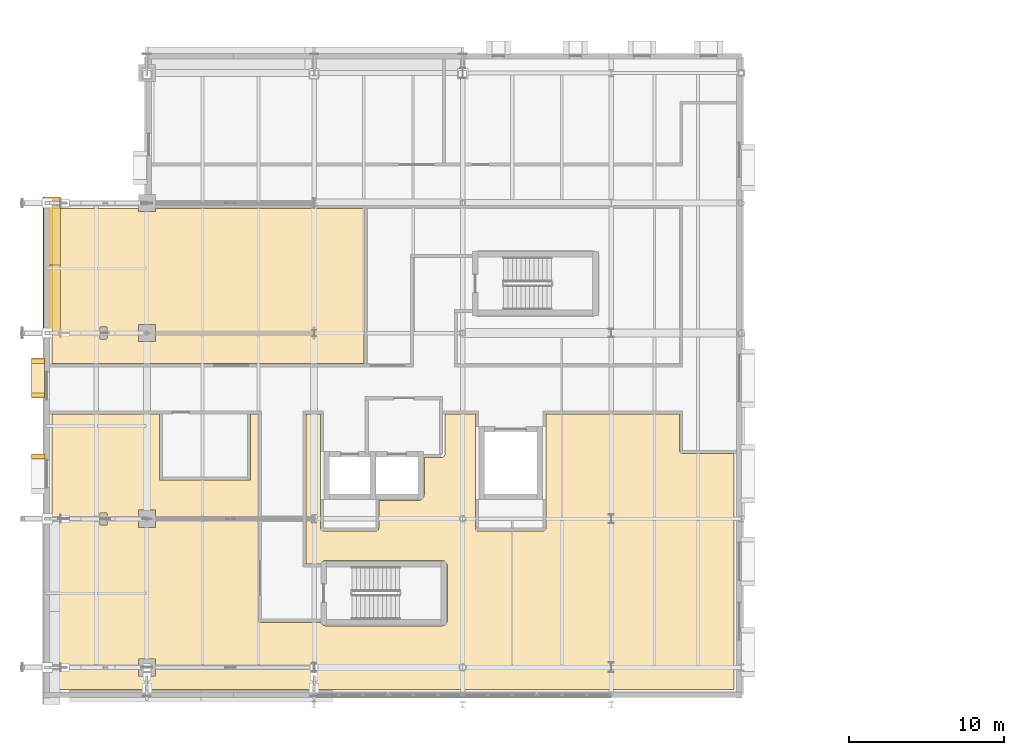
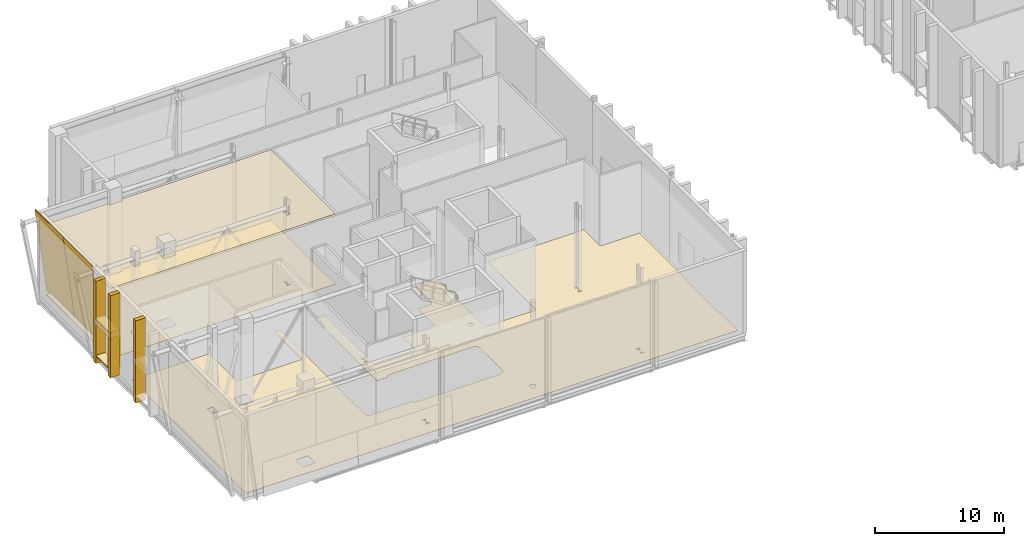
# One storey, part 66 of 79: 10 coverings.
"""IFC4 building model written with IfcOpenShell, lengths in metres."""

from ifc_helpers import new_model, si_unit, direction, frame, origin, origin_2d, place, context, subcontext, project, spatial, polyline, rectangle, outline, extrude, material, layer, layer_set, type_object, element, save


model = new_model("IFC4")

# Units and contexts
model_context = context("Model", 3, precision=1e-05, world=origin(), true_north=direction((0.0, 1.0)))
body_context = subcontext(model_context, "Body", "Model", "MODEL_VIEW")
ifc_project = project(units=[si_unit("LENGTHUNIT", "METRE"), si_unit("AREAUNIT", "SQUARE_METRE"), si_unit("VOLUMEUNIT", "CUBIC_METRE"), si_unit("PLANEANGLEUNIT", "RADIAN"), si_unit("MASSUNIT", "GRAM", prefix="KILO")], contexts=[model_context])

# Site, building, storey
site_placement = place(None, origin())
site = spatial("IfcSite", under=ifc_project, at=site_placement, CompositionType="ELEMENT")
building_placement = place(site_placement, origin())
building = spatial("IfcBuilding", under=site, at=building_placement, Name="Zereglee Splitstone Museum", CompositionType="ELEMENT")
storey_placement = place(building_placement, frame((0.0, 0.0, 9.0)))
storey = spatial("IfcBuildingStorey", under=building, at=storey_placement, Name="L02", CompositionType="ELEMENT", Elevation=9.0)

# Coverings
ifc_material_1 = material(Name="Siberian larch acoustic timber ceiling", Category="wood")
ifc_layer_1 = layer(ifc_material_1, 0.06005859375)
ifc_layer_set_1 = layer_set([ifc_layer_1], Name="Siberian larch acoustic timber ceiling")
covering_type_1 = type_object("IfcCoveringType", Name="CLG-01", PredefinedType="CEILING", material=ifc_layer_set_1)
covering_1_placement = place(storey_placement, frame((0.0, 0.0, 6.639892578125)))
element("IfcCovering", 1, at=covering_1_placement, inside=storey, type_object=covering_type_1, Name="Acoustic Ceiling L02-034", PredefinedType="CEILING", context=body_context, shape_type="SweptSolid", body=[
    extrude(outline(polyline([(3.4599609375, 29.659912109375), (9.0419921875, 29.659912109375), (9.0419921875, 29.44189453125), (10.157958984375, 29.44189453125), (10.157958984375, 29.659912109375), (23.639892578125, 29.659912109375), (23.639892578125, 19.6298828125), (3.4599609375, 19.6298828125), (3.4599609375, 29.659912109375)]), holes=[polyline([(6.56689453125, 21.98291015625), (6.56689453125, 21.217041015625), (7.032958984375, 21.217041015625), (7.032958984375, 21.98291015625), (6.56689453125, 21.98291015625)]), polyline([(9.0419921875, 22.157958984375), (9.0419921875, 21.0419921875), (10.157958984375, 21.0419921875), (10.157958984375, 22.157958984375), (9.0419921875, 22.157958984375)]), polyline([(20.55810546875, 21.8330078125), (20.241943359375, 21.8330078125), (20.241943359375, 21.791015625), (20.385009765625, 21.791015625), (20.385009765625, 21.408935546875), (20.241943359375, 21.408935546875), (20.241943359375, 21.366943359375), (20.55810546875, 21.366943359375), (20.55810546875, 21.408935546875), (20.4150390625, 21.408935546875), (20.4150390625, 21.791015625), (20.55810546875, 21.791015625), (20.55810546875, 21.8330078125)])]), origin(), (0.0, 0.0, 1.0), 0.06005859375),
])
ifc_material_2 = material(Name="Honed Gobi pale limestone stringcourse and soffit cladding", Category="masonry")
ifc_layer_2 = layer(ifc_material_2, 0.070068359375)
ifc_layer_set_2 = layer_set([ifc_layer_2], Name="Honed Gobi pale limestone stringcourse and soffit cladding")
covering_type_2 = type_object("IfcCoveringType", Name="CL-02", PredefinedType="CLADDING", material=ifc_layer_set_2)
for number, where, z_axis, x_axis, name in (
    (2, (2.574951171875, 19.81005859375, 0.0), (0.0, 0.0, 1.0), (0.0, -1.0, 0.0), "Mughal Window Reveal Stone Pilaster L02-0081L"),
    (3, (2.574951171875, 17.570068359375, 0.0), (0.0, 0.0, 1.0), (0.0, -1.0, 0.0), "Mughal Window Reveal Stone Pilaster L02-0081R"),
):
    element("IfcCovering", number, at=place(storey_placement, frame(where, z_axis=z_axis, x_axis=x_axis)), inside=storey, type_object=covering_type_2, Name=name, PredefinedType="CLADDING", context=body_context, shape_type="SweptSolid", body=[
        extrude(rectangle(XDim=0.340087890625, YDim=0.860107421875, at=origin_2d()), origin(), (0.0, 0.0, 1.0), 7.800048828125),
    ])
covering_2_placement = place(storey_placement, frame((2.56494140625, 18.68994140625, 0.659912109375), z_axis=(0.0, 0.0, 1.0), x_axis=(0.0, -1.0, 0.0)))
element("IfcCovering", 4, at=covering_2_placement, inside=storey, type_object=covering_type_2, Name="Carved Limestone Window Sill L02-0081", PredefinedType="CLADDING", context=body_context, shape_type="SweptSolid", body=[
    extrude(rectangle(XDim=2.43994140625, YDim=0.840087890625, at=origin_2d()), origin(), (0.0, 0.0, 1.0), 0.1201171875),
])
covering_3_placement = place(storey_placement, frame((2.574951171875, 13.6298828125, 0.0), z_axis=(0.0, 0.0, 1.0), x_axis=(0.0, -1.0, 0.0)))
element("IfcCovering", 5, at=covering_3_placement, inside=storey, type_object=covering_type_2, Name="Mughal Window Reveal Stone Pilaster L02-0082L", PredefinedType="CLADDING", context=body_context, shape_type="SweptSolid", body=[
    extrude(rectangle(XDim=0.340087890625, YDim=0.860107421875, at=origin_2d()), origin(), (0.0, 0.0, 1.0), 7.800048828125),
])
ifc_material_3 = material(Name="Honed Khoroo red sandstone ventilated rainscreen", Category="masonry")
ifc_layer_3 = layer(ifc_material_3, 0.080078125)
ifc_layer_set_3 = layer_set([ifc_layer_3], Name="Honed Khoroo red sandstone ventilated rainscreen")
covering_type_3 = type_object("IfcCoveringType", Name="CL-01", PredefinedType="CLADDING", material=ifc_layer_set_3)
covering_4_placement = place(storey_placement, frame((2.56494140625, 18.68994140625, 3.659912109375), z_axis=(0.0, 0.0, 1.0), x_axis=(0.0, -1.0, 0.0)))
element("IfcCovering", 6, at=covering_4_placement, inside=storey, type_object=covering_type_3, Name="Pointed-Arch Mughal Window Hood L02-0081", PredefinedType="CLADDING", context=body_context, shape_type="SweptSolid", body=[
    extrude(rectangle(XDim=2.43994140625, YDim=0.860107421875, at=origin_2d()), origin(), (0.0, 0.0, 1.0), 0.580078125),
])
for number, where, z_axis, x_axis, name in (
    (7, (2.875732421875, 21.60009765625, 7.85009765625), (-0.991724791563, 0.0, -0.128381999511), (0.0, 1.0, 0.0), "Split-Rock Continuous Inclined Facet FH-V1W-N L02.1"),
    (8, (2.875732421875, 26.0, 7.85009765625), (-0.991724791563, 0.0, -0.128381999511), (0.0, 1.0, 0.0), "Split-Rock Continuous Inclined Facet FH-V1W-N L02.2"),
):
    element("IfcCovering", number, at=place(storey_placement, frame(where, z_axis=z_axis, x_axis=x_axis)), inside=storey, type_object=covering_type_3, Name=name, PredefinedType="CLADDING", context=body_context, shape_type="SweptSolid", body=[
        extrude(outline(polyline([(0.0, 0.0), (4.39990234375, 0.0), (4.39990234375, 8.16768696835735), (0.0, 8.16768696835735), (0.0, 0.0)])), origin(), (0.0, 0.0, -1.0), 0.080078125),
    ])
ifc_material_4 = material(Name="Honed Gobi granite terrazzo flooring", Category="masonry")
ifc_layer_4 = layer(ifc_material_4, 0.030029296875)
ifc_layer_set_4 = layer_set([ifc_layer_4], Name="Honed Gobi granite terrazzo flooring")
covering_type_4 = type_object("IfcCoveringType", Name="FLR-01", PredefinedType="FLOORING", material=ifc_layer_set_4)
covering_5_placement = place(storey_placement, origin())
element("IfcCovering", 9, at=covering_5_placement, inside=storey, type_object=covering_type_4, Name="Terrazzo Gallery Flooring L02-020", PredefinedType="FLOORING", context=body_context, shape_type="SweptSolid", body=[
    extrude(outline(polyline([(19.8798828125, 16.3701171875), (20.820068359375, 16.3701171875), (20.820068359375, 9.0), (20.820068359375, 8.9990234375), (20.82080078125, 8.9833984375), (20.821044921875, 8.9814453125), (20.8232421875, 8.9658203125), (20.82373046875, 8.9638671875), (20.827392578125, 8.94873046875), (20.828125, 8.94677734375), (20.833251953125, 8.931884765625), (20.833984375, 8.93017578125), (20.8408203125, 8.916015625), (20.841796875, 8.914306640625), (20.849853515625, 8.90087890625), (20.850830078125, 8.899169921875), (20.8603515625, 8.88671875), (20.861572265625, 8.885009765625), (20.8720703125, 8.873291015625), (20.873291015625, 8.8720703125), (20.885009765625, 8.861572265625), (20.88671875, 8.8603515625), (20.899169921875, 8.850830078125), (20.90087890625, 8.849853515625), (20.914306640625, 8.841796875), (20.916015625, 8.8408203125), (20.93017578125, 8.833984375), (20.931884765625, 8.833251953125), (20.94677734375, 8.828125), (20.94873046875, 8.827392578125), (20.9638671875, 8.82373046875), (20.9658203125, 8.8232421875), (20.9814453125, 8.821044921875), (20.9833984375, 8.82080078125), (20.9990234375, 8.820068359375), (21.0, 8.820068359375), (24.39990234375, 8.820068359375), (24.40087890625, 8.820068359375), (24.416748046875, 8.82080078125), (24.418701171875, 8.821044921875), (24.43408203125, 8.8232421875), (24.43603515625, 8.82373046875), (24.451416015625, 8.827392578125), (24.453125, 8.828125), (24.468017578125, 8.833251953125), (24.4697265625, 8.833984375), (24.48388671875, 8.8408203125), (24.485595703125, 8.841796875), (24.499267578125, 8.849853515625), (24.500732421875, 8.850830078125), (24.513427734375, 8.8603515625), (24.514892578125, 8.861572265625), (24.526611328125, 8.8720703125), (24.528076171875, 8.873291015625), (24.53857421875, 8.885009765625), (24.539794921875, 8.88671875), (24.549072265625, 8.899169921875), (24.55029296875, 8.90087890625), (24.558349609375, 8.914306640625), (24.55908203125, 8.916015625), (24.56591796875, 8.93017578125), (24.566650390625, 8.931884765625), (24.572021484375, 8.94677734375), (24.572509765625, 8.94873046875), (24.576416015625, 8.9638671875), (24.57666015625, 8.9658203125), (24.5791015625, 8.9814453125), (24.5791015625, 8.9833984375), (24.580078125, 8.9990234375), (24.580078125, 9.0), (24.580078125, 10.780029296875), (27.10009765625, 10.780029296875), (27.14111328125, 10.781982421875), (27.181884765625, 10.7880859375), (27.221923828125, 10.798095703125), (27.2607421875, 10.81201171875), (27.298095703125, 10.82958984375), (27.333251953125, 10.850830078125), (27.366455078125, 10.875244140625), (27.39697265625, 10.903076171875), (27.4248046875, 10.93359375), (27.44921875, 10.966796875), (27.470458984375, 11.001953125), (27.488037109375, 11.039306640625), (27.501953125, 11.078125), (27.511962890625, 11.1181640625), (27.51806640625, 11.15869140625), (27.52001953125, 11.199951171875), (27.52001953125, 13.550048828125), (28.60009765625, 13.550048828125), (28.62451171875, 13.55126953125), (28.648681640625, 13.5546875), (28.672607421875, 13.560791015625), (28.69580078125, 13.569091796875), (28.7177734375, 13.57958984375), (28.739013671875, 13.592041015625), (28.758544921875, 13.606689453125), (28.77685546875, 13.623291015625), (28.793212890625, 13.641357421875), (28.807861328125, 13.6611328125), (28.820556640625, 13.68212890625), (28.8310546875, 13.704345703125), (28.839111328125, 13.727294921875), (28.84521484375, 13.751220703125), (28.848876953125, 13.775390625), (28.85009765625, 13.800048828125), (28.85009765625, 16.3701171875), (30.820068359375, 16.3701171875), (30.820068359375, 9.0), (30.820068359375, 8.9990234375), (30.82080078125, 8.9833984375), (30.821044921875, 8.9814453125), (30.8232421875, 8.9658203125), (30.82373046875, 8.9638671875), (30.827392578125, 8.94873046875), (30.828125, 8.94677734375), (30.833251953125, 8.931884765625), (30.833984375, 8.93017578125), (30.8408203125, 8.916015625), (30.841796875, 8.914306640625), (30.849853515625, 8.90087890625), (30.850830078125, 8.899169921875), (30.8603515625, 8.88671875), (30.861572265625, 8.885009765625), (30.8720703125, 8.873291015625), (30.873291015625, 8.8720703125), (30.885009765625, 8.861572265625), (30.88671875, 8.8603515625), (30.899169921875, 8.850830078125), (30.90087890625, 8.849853515625), (30.914306640625, 8.841796875), (30.916015625, 8.8408203125), (30.93017578125, 8.833984375), (30.931884765625, 8.833251953125), (30.94677734375, 8.828125), (30.94873046875, 8.827392578125), (30.9638671875, 8.82373046875), (30.9658203125, 8.8232421875), (30.9814453125, 8.821044921875), (30.9833984375, 8.82080078125), (30.9990234375, 8.820068359375), (31.0, 8.820068359375), (35.199951171875, 8.820068359375), (35.200927734375, 8.820068359375), (35.216796875, 8.82080078125), (35.218505859375, 8.821044921875), (35.234130859375, 8.8232421875), (35.236083984375, 8.82373046875), (35.251220703125, 8.827392578125), (35.253173828125, 8.828125), (35.26806640625, 8.833251953125), (35.269775390625, 8.833984375), (35.283935546875, 8.8408203125), (35.28564453125, 8.841796875), (35.29931640625, 8.849853515625), (35.30078125, 8.850830078125), (35.3134765625, 8.8603515625), (35.31494140625, 8.861572265625), (35.32666015625, 8.8720703125), (35.327880859375, 8.873291015625), (35.33837890625, 8.885009765625), (35.339599609375, 8.88671875), (35.34912109375, 8.899169921875), (35.35009765625, 8.90087890625), (35.3583984375, 8.914306640625), (35.359130859375, 8.916015625), (35.365966796875, 8.93017578125), (35.36669921875, 8.931884765625), (35.371826171875, 8.94677734375), (35.37255859375, 8.94873046875), (35.376220703125, 8.9638671875), (35.376708984375, 8.9658203125), (35.37890625, 8.9814453125), (35.379150390625, 8.9833984375), (35.3798828125, 8.9990234375), (35.3798828125, 9.0), (35.3798828125, 16.3701171875), (44.02001953125, 16.3701171875), (44.02001953125, 14.0), (44.02001953125, 13.9990234375), (44.020751953125, 13.9833984375), (44.02099609375, 13.9814453125), (44.023193359375, 13.9658203125), (44.023681640625, 13.9638671875), (44.027587890625, 13.94873046875), (44.028076171875, 13.94677734375), (44.033203125, 13.931884765625), (44.0341796875, 13.93017578125), (44.040771484375, 13.916015625), (44.041748046875, 13.914306640625), (44.0498046875, 13.90087890625), (44.05078125, 13.899169921875), (44.060302734375, 13.88671875), (44.0615234375, 13.885009765625), (44.072021484375, 13.873291015625), (44.073486328125, 13.8720703125), (44.085205078125, 13.861572265625), (44.086669921875, 13.8603515625), (44.09912109375, 13.850830078125), (44.100830078125, 13.849853515625), (44.1142578125, 13.841796875), (44.115966796875, 13.8408203125), (44.130126953125, 13.833984375), (44.132080078125, 13.833251953125), (44.146728515625, 13.828125), (44.148681640625, 13.827392578125), (44.163818359375, 13.82373046875), (44.166015625, 13.8232421875), (44.181396484375, 13.821044921875), (44.183349609375, 13.82080078125), (44.198974609375, 13.820068359375), (44.199951171875, 13.820068359375), (47.5400390625, 13.820068359375), (47.5400390625, -1.43994140625), (3.4599609375, -1.43994140625), (3.4599609375, 16.3701171875), (10.419921875, 16.3701171875), (10.419921875, 12.1298828125), (10.420166015625, 12.1279296875), (10.42041015625, 12.126220703125), (10.4208984375, 12.124267578125), (10.42138671875, 12.122314453125), (10.42236328125, 12.12060546875), (10.42333984375, 12.118896484375), (10.424560546875, 12.1171875), (10.42578125, 12.115966796875), (10.42724609375, 12.114501953125), (10.428955078125, 12.11328125), (10.4306640625, 12.1123046875), (10.432373046875, 12.111572265625), (10.43408203125, 12.11083984375), (10.43603515625, 12.1103515625), (10.43798828125, 12.110107421875), (10.43994140625, 12.110107421875), (16.260009765625, 12.110107421875), (16.261962890625, 12.110107421875), (16.263916015625, 12.1103515625), (16.265869140625, 12.11083984375), (16.267578125, 12.111572265625), (16.269287109375, 12.1123046875), (16.27099609375, 12.11328125), (16.272705078125, 12.114501953125), (16.274169921875, 12.115966796875), (16.275390625, 12.1171875), (16.276611328125, 12.118896484375), (16.277587890625, 12.12060546875), (16.278564453125, 12.122314453125), (16.279052734375, 12.124267578125), (16.279541015625, 12.126220703125), (16.27978515625, 12.1279296875), (16.280029296875, 12.1298828125), (16.280029296875, 16.3701171875), (16.820068359375, 16.3701171875), (16.820068359375, 3.10009765625), (16.820068359375, 3.09912109375), (16.82080078125, 3.083251953125), (16.821044921875, 3.081298828125), (16.8232421875, 3.06591796875), (16.82373046875, 3.06396484375), (16.827392578125, 3.048583984375), (16.828125, 3.046875), (16.833251953125, 3.031982421875), (16.833984375, 3.0302734375), (16.8408203125, 3.01611328125), (16.841796875, 3.014404296875), (16.849853515625, 3.000732421875), (16.850830078125, 2.999267578125), (16.8603515625, 2.986572265625), (16.861572265625, 2.985107421875), (16.8720703125, 2.973388671875), (16.873291015625, 2.971923828125), (16.885009765625, 2.96142578125), (16.88671875, 2.960205078125), (16.899169921875, 2.950927734375), (16.90087890625, 2.94970703125), (16.914306640625, 2.941650390625), (16.916015625, 2.94091796875), (16.93017578125, 2.93408203125), (16.931884765625, 2.933349609375), (16.94677734375, 2.927978515625), (16.94873046875, 2.927490234375), (16.9638671875, 2.923583984375), (16.9658203125, 2.92333984375), (16.9814453125, 2.9208984375), (16.9833984375, 2.9208984375), (16.9990234375, 2.919921875), (17.0, 2.919921875), (20.821044921875, 2.919921875), (20.82958984375, 2.902099609375), (20.850830078125, 2.86669921875), (20.875244140625, 2.83349609375), (20.903076171875, 2.802978515625), (20.93359375, 2.775390625), (20.966796875, 2.750732421875), (21.001953125, 2.7294921875), (21.039306640625, 2.7119140625), (21.078125, 2.697998046875), (21.1181640625, 2.68798828125), (21.15869140625, 2.681884765625), (21.199951171875, 2.679931640625), (28.60009765625, 2.679931640625), (28.64111328125, 2.681884765625), (28.681884765625, 2.68798828125), (28.721923828125, 2.697998046875), (28.7607421875, 2.7119140625), (28.798095703125, 2.7294921875), (28.833251953125, 2.750732421875), (28.866455078125, 2.775390625), (28.89697265625, 2.802978515625), (28.9248046875, 2.83349609375), (28.94921875, 2.86669921875), (28.970458984375, 2.902099609375), (28.988037109375, 2.939208984375), (29.001953125, 2.97802734375), (29.011962890625, 3.01806640625), (29.01806640625, 3.058837890625), (29.02001953125, 3.10009765625), (29.02001953125, 6.5), (29.01806640625, 6.541259765625), (29.011962890625, 6.581787109375), (29.001953125, 6.621826171875), (28.988037109375, 6.66064453125), (28.970458984375, 6.697998046875), (28.94921875, 6.7333984375), (28.9248046875, 6.766357421875), (28.89697265625, 6.797119140625), (28.866455078125, 6.82470703125), (28.833251953125, 6.84912109375), (28.798095703125, 6.870361328125), (28.7607421875, 6.887939453125), (28.721923828125, 6.90185546875), (28.681884765625, 6.911865234375), (28.64111328125, 6.91796875), (28.60009765625, 6.919921875), (21.199951171875, 6.919921875), (21.15869140625, 6.91796875), (21.1181640625, 6.911865234375), (21.078125, 6.90185546875), (21.039306640625, 6.887939453125), (21.001953125, 6.870361328125), (20.966796875, 6.84912109375), (20.93359375, 6.82470703125), (20.903076171875, 6.797119140625), (20.875244140625, 6.766357421875), (20.850830078125, 6.7333984375), (20.82958984375, 6.697998046875), (20.821044921875, 6.679931640625), (19.8798828125, 6.679931640625), (19.8798828125, 16.3701171875)]), holes=[polyline([(39.758056640625, 0.3330078125), (39.44189453125, 0.3330078125), (39.44189453125, 0.285888671875), (39.583984375, 0.285888671875), (39.583984375, -0.285888671875), (39.44189453125, -0.285888671875), (39.44189453125, -0.3330078125), (39.758056640625, -0.3330078125), (39.758056640625, -0.285888671875), (39.615966796875, -0.285888671875), (39.615966796875, 0.285888671875), (39.758056640625, 0.285888671875), (39.758056640625, 0.3330078125)]), polyline([(30.090576171875, -0.218505859375), (30.13134765625, -0.196533203125), (30.167236328125, -0.167236328125), (30.196533203125, -0.13134765625), (30.218505859375, -0.090576171875), (30.23193359375, -0.046142578125), (30.236572265625, 0.0), (30.23193359375, 0.046142578125), (30.218505859375, 0.090576171875), (30.196533203125, 0.13134765625), (30.167236328125, 0.167236328125), (30.13134765625, 0.196533203125), (30.090576171875, 0.218505859375), (30.046142578125, 0.23193359375), (30.0, 0.236572265625), (29.953857421875, 0.23193359375), (29.909423828125, 0.218505859375), (29.86865234375, 0.196533203125), (29.832763671875, 0.167236328125), (29.803466796875, 0.13134765625), (29.781494140625, 0.090576171875), (29.76806640625, 0.046142578125), (29.763427734375, 0.0), (29.76806640625, -0.046142578125), (29.781494140625, -0.090576171875), (29.803466796875, -0.13134765625), (29.832763671875, -0.167236328125), (29.86865234375, -0.196533203125), (29.909423828125, -0.218505859375), (29.953857421875, -0.23193359375), (30.0, -0.236572265625), (30.046142578125, -0.23193359375), (30.090576171875, -0.218505859375)]), polyline([(9.0419921875, 0.55810546875), (9.0419921875, -0.55810546875), (10.157958984375, -0.55810546875), (10.157958984375, 0.55810546875), (9.0419921875, 0.55810546875)]), polyline([(20.55810546875, 0.282958984375), (20.241943359375, 0.282958984375), (20.241943359375, 0.238037109375), (20.384521484375, 0.238037109375), (20.384521484375, -0.238037109375), (20.241943359375, -0.238037109375), (20.241943359375, -0.282958984375), (20.55810546875, -0.282958984375), (20.55810546875, -0.238037109375), (20.41552734375, -0.238037109375), (20.41552734375, 0.238037109375), (20.55810546875, 0.238037109375), (20.55810546875, 0.282958984375)]), polyline([(30.080810546875, 9.40478515625), (30.1171875, 9.42431640625), (30.1494140625, 9.45068359375), (30.175537109375, 9.482666015625), (30.195068359375, 9.519287109375), (30.20703125, 9.558837890625), (30.211181640625, 9.60009765625), (30.20703125, 9.64111328125), (30.195068359375, 9.680908203125), (30.175537109375, 9.71728515625), (30.1494140625, 9.749267578125), (30.1171875, 9.775634765625), (30.080810546875, 9.795166015625), (30.041259765625, 9.80712890625), (30.0, 9.811279296875), (29.958740234375, 9.80712890625), (29.919189453125, 9.795166015625), (29.8828125, 9.775634765625), (29.8505859375, 9.749267578125), (29.824462890625, 9.71728515625), (29.804931640625, 9.680908203125), (29.79296875, 9.64111328125), (29.788818359375, 9.60009765625), (29.79296875, 9.558837890625), (29.804931640625, 9.519287109375), (29.824462890625, 9.482666015625), (29.8505859375, 9.45068359375), (29.8828125, 9.42431640625), (29.919189453125, 9.40478515625), (29.958740234375, 9.392822265625), (30.0, 9.388916015625), (30.041259765625, 9.392822265625), (30.080810546875, 9.40478515625)]), polyline([(39.758056640625, 9.907958984375), (39.44189453125, 9.907958984375), (39.44189453125, 9.862060546875), (39.584228515625, 9.862060546875), (39.584228515625, 9.337890625), (39.44189453125, 9.337890625), (39.44189453125, 9.2919921875), (39.758056640625, 9.2919921875), (39.758056640625, 9.337890625), (39.61572265625, 9.337890625), (39.61572265625, 9.862060546875), (39.758056640625, 9.862060546875), (39.758056640625, 9.907958984375)]), polyline([(20.55810546875, 9.85791015625), (20.241943359375, 9.85791015625), (20.241943359375, 9.81396484375), (20.384765625, 9.81396484375), (20.384765625, 9.385986328125), (20.241943359375, 9.385986328125), (20.241943359375, 9.342041015625), (20.55810546875, 9.342041015625), (20.55810546875, 9.385986328125), (20.415283203125, 9.385986328125), (20.415283203125, 9.81396484375), (20.55810546875, 9.81396484375), (20.55810546875, 9.85791015625)]), polyline([(9.0419921875, 10.157958984375), (9.0419921875, 9.0419921875), (10.157958984375, 9.0419921875), (10.157958984375, 10.157958984375), (9.0419921875, 10.157958984375)]), polyline([(6.56689453125, 9.98291015625), (6.56689453125, 9.217041015625), (7.032958984375, 9.217041015625), (7.032958984375, 9.98291015625), (6.56689453125, 9.98291015625)])]), origin(), (0.0, 0.0, 1.0), 0.030029296875),
])
covering_6_placement = place(storey_placement, origin())
element("IfcCovering", 10, at=covering_6_placement, inside=storey, type_object=covering_type_4, Name="Terrazzo Gallery Flooring L02-021", PredefinedType="FLOORING", context=body_context, shape_type="SweptSolid", body=[
    extrude(outline(polyline([(3.4599609375, 29.659912109375), (9.0419921875, 29.659912109375), (9.0419921875, 29.44189453125), (10.157958984375, 29.44189453125), (10.157958984375, 29.659912109375), (23.639892578125, 29.659912109375), (23.639892578125, 19.6298828125), (3.4599609375, 19.6298828125), (3.4599609375, 29.659912109375)]), holes=[polyline([(6.56689453125, 21.98291015625), (6.56689453125, 21.217041015625), (7.032958984375, 21.217041015625), (7.032958984375, 21.98291015625), (6.56689453125, 21.98291015625)]), polyline([(9.0419921875, 22.157958984375), (9.0419921875, 21.0419921875), (10.157958984375, 21.0419921875), (10.157958984375, 22.157958984375), (9.0419921875, 22.157958984375)]), polyline([(20.55810546875, 21.8330078125), (20.241943359375, 21.8330078125), (20.241943359375, 21.791015625), (20.385009765625, 21.791015625), (20.385009765625, 21.408935546875), (20.241943359375, 21.408935546875), (20.241943359375, 21.366943359375), (20.55810546875, 21.366943359375), (20.55810546875, 21.408935546875), (20.4150390625, 21.408935546875), (20.4150390625, 21.791015625), (20.55810546875, 21.791015625), (20.55810546875, 21.8330078125)])]), origin(), (0.0, 0.0, 1.0), 0.030029296875),
])

save(model, "model.ifc")
